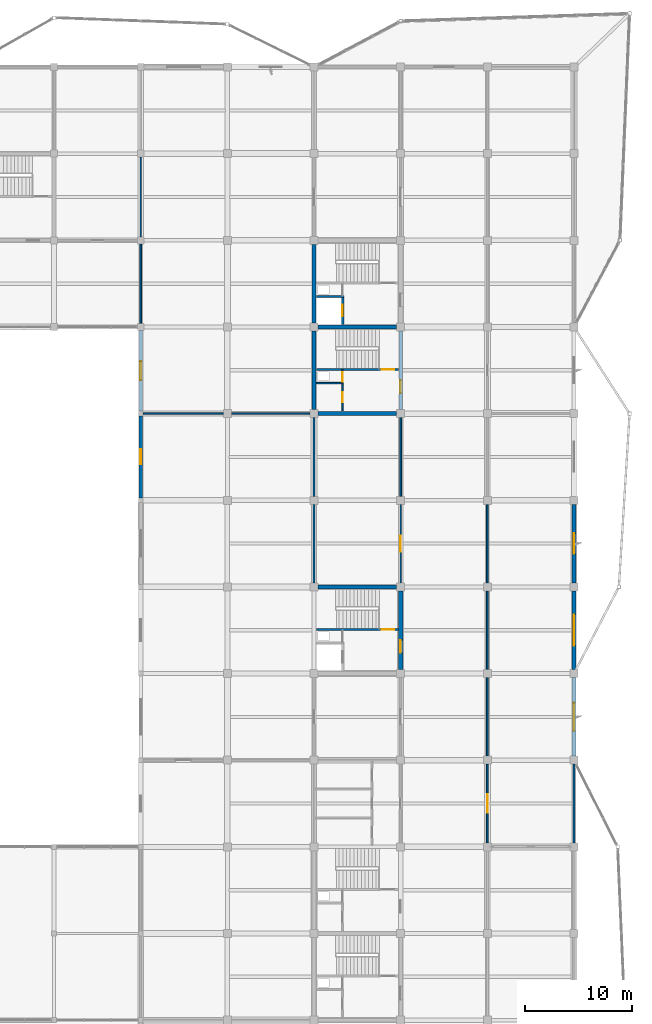
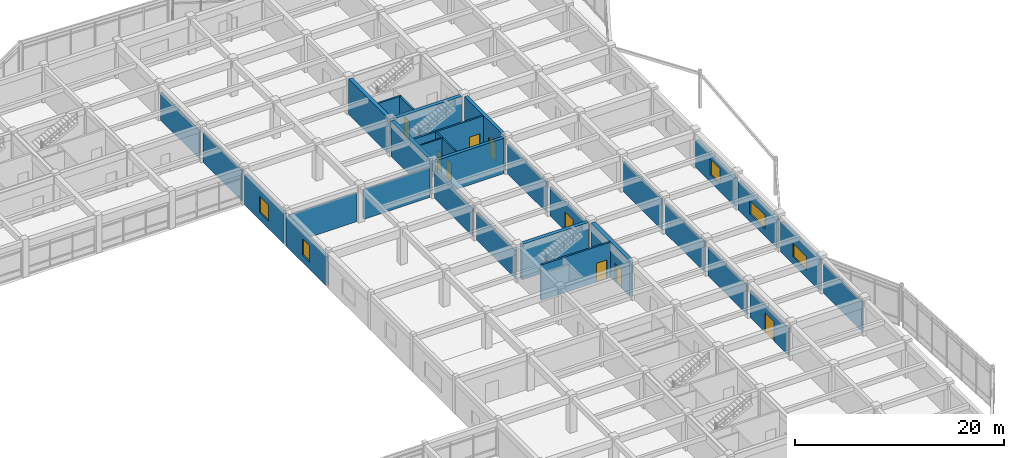
# One storey, part 71 of 89: 32 walls, 9 doors, 5 windows, 14 openings.
"""IFC4 building model written with IfcOpenShell, lengths in metres."""

from ifc_helpers import new_model, si_unit, direction, frame, frame_2d, origin, place, context, subcontext, project, spatial, rectangle, extrude, material, layer, layer_set, type_object, element, fill, save


model = new_model("IFC4")

# Units and contexts
model_context = context("Model", 3, precision=1e-05, world=origin(), true_north=direction((0.0, 1.0)))
body_context = subcontext(model_context, "Body", "Model", "MODEL_VIEW")
ifc_project = project(units=[si_unit("LENGTHUNIT", "METRE"), si_unit("AREAUNIT", "SQUARE_METRE"), si_unit("VOLUMEUNIT", "CUBIC_METRE"), si_unit("PLANEANGLEUNIT", "RADIAN"), si_unit("MASSUNIT", "GRAM", prefix="KILO")], contexts=[model_context])

# Site, building, storey
site_placement = place(None, origin())
site = spatial("IfcSite", under=ifc_project, at=site_placement, CompositionType="ELEMENT")
building_placement = place(site_placement, origin())
building = spatial("IfcBuilding", under=site, at=building_placement, Name="Vaudrelin Polytechnic", CompositionType="ELEMENT")
storey_placement = place(building_placement, frame((0.0, 0.0, 9.68994140625)))
storey = spatial("IfcBuildingStorey", under=building, at=storey_placement, Name="L02", CompositionType="ELEMENT", Elevation=9.68994140625)

# Wall, opening, window
ifc_material_1 = material(Name="Precast concrete 35 MPa with terracotta baguette screen", Category="masonry")
ifc_layer_1 = layer(ifc_material_1, 0.35009765625)
ifc_layer_set_1 = layer_set([ifc_layer_1], Name="Precast concrete 35 MPa with terracotta baguette screen")
wall_type_1 = type_object("IfcWallType", Name="WAL-EW-TERR350", PredefinedType="STANDARD", material=ifc_layer_set_1)
wall_1_placement = place(storey_placement, frame((170.10009765625, 57.072998046875, 0.0), z_axis=(0.0, 0.0, 1.0), x_axis=(0.0, 1.0, 0.0)))
wall_1 = element("IfcWall", 1, at=wall_1_placement, inside=storey, type_object=wall_type_1, Name="Exterior wall L02 E_V4_05", PredefinedType="STANDARD", context=body_context, shape_type="SweptSolid", body=[
    extrude(rectangle(XDim=7.35400390625, YDim=0.35009765625, at=frame_2d((3.677001953125, 0.0))), origin(), (0.0, 0.0, 1.0), 3.491943359375),
])
opening_1_placement = place(wall_1_placement, frame((2.376953125, 0.0, 0.85009765625)))
opening_1 = element("IfcOpeningElement", 2, at=opening_1_placement, cuts=wall_1, Name="Opening W-L02-E-V4-06", PredefinedType="OPENING", context=body_context, shape_type="SweptSolid", body=[
    extrude(rectangle(XDim=2.60009765625, YDim=1.60009765625, at=frame_2d((1.300048828125, 0.800048828125))), frame((0.0, 0.18505859375, 0.0), z_axis=(0.0, -1.0, 0.0), x_axis=(1.0, 0.0, 0.0)), (0.0, 0.0, 1.0), 0.3701171875),
])
ifc_material_2 = material(Name="Thermally broken aluminium frame with triple low-e glazing", Category="aluminium")
window_type_1 = type_object("IfcWindowType", Name="WIN-WN-45", PartitioningType="SINGLE_PANEL", PredefinedType="WINDOW", material=ifc_material_2)
window_1_placement = place(opening_1_placement, origin())
window_1 = element("IfcWindow", 3, at=window_1_placement, inside=storey, type_object=window_type_1, Name="Facade window L02-E_V4_05", OverallHeight=1.60009765625, OverallWidth=2.60009765625, PartitioningType="SINGLE_PANEL", PredefinedType="WINDOW", context=body_context, shape_type="SweptSolid", body=[
    extrude(rectangle(XDim=2.60009765625, YDim=1.60009765625, at=frame_2d((1.300048828125, 0.800048828125))), frame((0.0, 0.030029296875, 0.0), z_axis=(0.0, -1.0, 0.0), x_axis=(1.0, 0.0, 0.0)), (0.0, 0.0, 1.0), 0.06005859375),
])
fill(opening_1, window_1)

wall_2_placement = place(storey_placement, frame((170.10009765625, 65.173095703125, 0.0), z_axis=(0.0, 0.0, 1.0), x_axis=(0.0, 1.0, 0.0)))
wall_2 = element("IfcWall", 4, at=wall_2_placement, inside=storey, type_object=wall_type_1, Name="Exterior wall L02 E_V4_06", PredefinedType="STANDARD", context=body_context, shape_type="SweptSolid", body=[
    extrude(rectangle(XDim=7.35400390625, YDim=0.35009765625, at=frame_2d((3.677001953125, 0.0))), origin(), (0.0, 0.0, 1.0), 3.2919921875),
])
opening_2_placement = place(wall_2_placement, frame((2.22705078125, 0.0, 0.85009765625)))
opening_2 = element("IfcOpeningElement", 5, at=opening_2_placement, cuts=wall_2, Name="Opening W-L02-E-V4-07", PredefinedType="OPENING", context=body_context, shape_type="SweptSolid", body=[
    extrude(rectangle(XDim=2.89990234375, YDim=1.60009765625, at=frame_2d((1.449951171875, 0.800048828125))), frame((0.0, 0.18505859375, 0.0), z_axis=(0.0, -1.0, 0.0), x_axis=(1.0, 0.0, 0.0)), (0.0, 0.0, 1.0), 0.3701171875),
])
window_type_2 = type_object("IfcWindowType", Name="WIN-WN-46", PartitioningType="SINGLE_PANEL", PredefinedType="WINDOW", material=ifc_material_2)
window_2_placement = place(opening_2_placement, origin())
window_2 = element("IfcWindow", 6, at=window_2_placement, inside=storey, type_object=window_type_2, Name="Facade window L02-E_V4_06", OverallHeight=1.60009765625, OverallWidth=2.89990234375, PartitioningType="SINGLE_PANEL", PredefinedType="WINDOW", context=body_context, shape_type="SweptSolid", body=[
    extrude(rectangle(XDim=2.89990234375, YDim=1.60009765625, at=frame_2d((1.449951171875, 0.800048828125))), frame((0.0, 0.030029296875, 0.0), z_axis=(0.0, -1.0, 0.0), x_axis=(1.0, 0.0, 0.0)), (0.0, 0.0, 1.0), 0.06005859375),
])
fill(opening_2, window_2)

wall_3_placement = place(storey_placement, frame((170.10009765625, 73.27294921875, 0.0), z_axis=(0.0, 0.0, 1.0), x_axis=(0.0, 1.0, 0.0)))
wall_3 = element("IfcWall", 7, at=wall_3_placement, inside=storey, type_object=wall_type_1, Name="Exterior wall L02 E_V4_07", PredefinedType="STANDARD", context=body_context, shape_type="SweptSolid", body=[
    extrude(rectangle(XDim=7.35400390625, YDim=0.35009765625, at=frame_2d((3.677001953125, 0.0))), origin(), (0.0, 0.0, 1.0), 3.192138671875),
])
opening_3_placement = place(wall_3_placement, frame((2.72705078125, 0.0, 0.85009765625)))
opening_3 = element("IfcOpeningElement", 8, at=opening_3_placement, cuts=wall_3, Name="Opening W-L02-E-V4-08", PredefinedType="OPENING", context=body_context, shape_type="SweptSolid", body=[
    extrude(rectangle(XDim=1.89990234375, YDim=1.85009765625, at=frame_2d((0.949951171875, 0.925048828125))), frame((0.0, 0.18505859375, 0.0), z_axis=(0.0, -1.0, 0.0), x_axis=(1.0, 0.0, 0.0)), (0.0, 0.0, 1.0), 0.3701171875),
])
window_type_3 = type_object("IfcWindowType", Name="WIN-WN-47", PartitioningType="SINGLE_PANEL", PredefinedType="WINDOW", material=ifc_material_2)
window_3_placement = place(opening_3_placement, origin())
window_3 = element("IfcWindow", 9, at=window_3_placement, inside=storey, type_object=window_type_3, Name="Facade window L02-E_V4_07", OverallHeight=1.85009765625, OverallWidth=1.89990234375, PartitioningType="SINGLE_PANEL", PredefinedType="WINDOW", context=body_context, shape_type="SweptSolid", body=[
    extrude(rectangle(XDim=1.89990234375, YDim=1.85009765625, at=frame_2d((0.949951171875, 0.925048828125))), frame((0.0, 0.030029296875, 0.0), z_axis=(0.0, -1.0, 0.0), x_axis=(1.0, 0.0, 0.0)), (0.0, 0.0, 1.0), 0.06005859375),
])
fill(opening_3, window_3)

wall_4_placement = place(storey_placement, frame((129.60009765625, 81.222900390625, 0.0), z_axis=(0.0, 0.0, 1.0), x_axis=(0.0, 1.0, 0.0)))
wall_4 = element("IfcWall", 10, at=wall_4_placement, inside=storey, type_object=wall_type_1, Name="Exterior wall L02 CT_E_04", PredefinedType="STANDARD", context=body_context, shape_type="SweptSolid", body=[
    extrude(rectangle(XDim=7.654052734375, YDim=0.35009765625, at=frame_2d((3.8271484375, 0.0))), origin(), (0.0, 0.0, 1.0), 3.39208984375),
])
opening_4_placement = place(wall_4_placement, frame((3.126953125, 0.0, 0.85009765625)))
opening_4 = element("IfcOpeningElement", 11, at=opening_4_placement, cuts=wall_4, Name="Opening W-L02-CT-E-05", PredefinedType="OPENING", context=body_context, shape_type="SweptSolid", body=[
    extrude(rectangle(XDim=1.39990234375, YDim=1.89990234375, at=frame_2d((0.699951171875, 0.949951171875))), frame((0.0, 0.18505859375, 0.0), z_axis=(0.0, -1.0, 0.0), x_axis=(1.0, 0.0, 0.0)), (0.0, 0.0, 1.0), 0.3701171875),
])
window_type_4 = type_object("IfcWindowType", Name="WIN-WN-28", PartitioningType="SINGLE_PANEL", PredefinedType="WINDOW", material=ifc_material_2)
window_4_placement = place(opening_4_placement, origin())
window_4 = element("IfcWindow", 12, at=window_4_placement, inside=storey, type_object=window_type_4, Name="Facade window L02-CT_E_04", OverallHeight=1.89990234375, OverallWidth=1.39990234375, PartitioningType="SINGLE_PANEL", PredefinedType="WINDOW", context=body_context, shape_type="SweptSolid", body=[
    extrude(rectangle(XDim=1.39990234375, YDim=1.89990234375, at=frame_2d((0.699951171875, 0.949951171875))), frame((0.0, 0.030029296875, 0.0), z_axis=(0.0, -1.0, 0.0), x_axis=(1.0, 0.0, 0.0)), (0.0, 0.0, 1.0), 0.06005859375),
])
fill(opening_4, window_4)

wall_5_placement = place(storey_placement, frame((129.60009765625, 89.322998046875, 0.0), z_axis=(0.0, 0.0, 1.0), x_axis=(0.0, 1.0, 0.0)))
wall_5 = element("IfcWall", 13, at=wall_5_placement, inside=storey, type_object=wall_type_1, Name="Exterior wall L02 CT_E_05", PredefinedType="STANDARD", context=body_context, shape_type="SweptSolid", body=[
    extrude(rectangle(XDim=7.553955078125, YDim=0.35009765625, at=frame_2d((3.77685546875, 0.0))), origin(), (0.0, 0.0, 1.0), 3.491943359375),
])
opening_5_placement = place(wall_5_placement, frame((2.902099609375, 0.0, 0.85009765625)))
opening_5 = element("IfcOpeningElement", 14, at=opening_5_placement, cuts=wall_5, Name="Opening W-L02-CT-E-06", PredefinedType="OPENING", context=body_context, shape_type="SweptSolid", body=[
    extrude(rectangle(XDim=1.75, YDim=1.89990234375, at=frame_2d((0.875, 0.949951171875))), frame((0.0, 0.18505859375, 0.0), z_axis=(0.0, -1.0, 0.0), x_axis=(1.0, 0.0, 0.0)), (0.0, 0.0, 1.0), 0.3701171875),
])
window_type_5 = type_object("IfcWindowType", Name="WIN-WN-29", PartitioningType="SINGLE_PANEL", PredefinedType="WINDOW", material=ifc_material_2)
window_5_placement = place(opening_5_placement, origin())
window_5 = element("IfcWindow", 15, at=window_5_placement, inside=storey, type_object=window_type_5, Name="Facade window L02-CT_E_05", OverallHeight=1.89990234375, OverallWidth=1.75, PartitioningType="SINGLE_PANEL", PredefinedType="WINDOW", context=body_context, shape_type="SweptSolid", body=[
    extrude(rectangle(XDim=1.75, YDim=1.89990234375, at=frame_2d((0.875, 0.949951171875))), frame((0.0, 0.030029296875, 0.0), z_axis=(0.0, -1.0, 0.0), x_axis=(1.0, 0.0, 0.0)), (0.0, 0.0, 1.0), 0.06005859375),
])
fill(opening_5, window_5)

# Wall, opening, door
ifc_material_3 = material(Name="Fire-rated steel-stud gypsum compartment wall", Category="steel")
ifc_layer_2 = layer(ifc_material_3, 0.14990234375)
ifc_layer_set_2 = layer_set([ifc_layer_2], Name="Fire-rated steel-stud gypsum compartment wall")
wall_type_2 = type_object("IfcWallType", Name="WAL-PW-FIRE60", PredefinedType="PARTITIONING", material=ifc_layer_set_2)
wall_6_placement = place(storey_placement, frame((148.47998046875, 91.949951171875, 0.0), z_axis=(0.0, 0.0, 1.0), x_axis=(0.0, 1.0, 0.0)))
wall_6 = element("IfcWall", 16, at=wall_6_placement, inside=storey, type_object=wall_type_2, Name="Core C13 riser enclosure wall L02", PredefinedType="PARTITIONING", context=body_context, shape_type="SweptSolid", body=[
    extrude(rectangle(XDim=1.260009765625, YDim=0.14990234375, at=frame_2d((0.6298828125, 0.0))), origin(), (0.0, 0.0, 1.0), 4.14208984375),
])
opening_6_placement = place(wall_6_placement, frame((0.139892578125, 0.0, 0.0)))
opening_6 = element("IfcOpeningElement", 17, at=opening_6_placement, cuts=wall_6, Name="Opening D-L02-307", PredefinedType="OPENING", context=body_context, shape_type="SweptSolid", body=[
    extrude(rectangle(XDim=0.89990234375, YDim=2.14990234375, at=frame_2d((0.449951171875, 1.074951171875))), frame((0.0, 0.0849609375, 0.0), z_axis=(0.0, -1.0, 0.0), x_axis=(1.0, 0.0, 0.0)), (0.0, 0.0, 1.0), 0.169921875),
])
ifc_material_4 = material(Name="Pressed galvanised steel acoustic leaf", Category="steel")
door_type_1 = type_object("IfcDoorType", Name="DOR-ID-RSR1", OperationType="NOTDEFINED", PredefinedType="DOOR", material=ifc_material_4)
door_1_placement = place(opening_6_placement, origin())
door_1 = element("IfcDoor", 18, at=door_1_placement, inside=storey, type_object=door_type_1, Name="Core C13 riser access door L02", OperationType="SINGLE_SWING_RIGHT", OverallHeight=2.14990234375, OverallWidth=0.89990234375, PredefinedType="DOOR", context=body_context, shape_type="SweptSolid", body=[
    extrude(rectangle(XDim=0.89990234375, YDim=2.14990234375, at=frame_2d((0.449951171875, 1.074951171875))), frame((0.0, 0.02490234375, 0.0), z_axis=(0.0, -1.0, 0.0), x_axis=(1.0, 0.0, 0.0)), (0.0, 0.0, 1.0), 0.050048828125),
])
fill(opening_6, door_1)

# Wall
wall_7_placement = place(storey_placement, frame((146.02001953125, 91.949951171875, 0.0), z_axis=(0.0, 0.0, 1.0), x_axis=(1.0, 0.0, 0.0)))
element("IfcWall", 19, at=wall_7_placement, inside=storey, type_object=wall_type_2, Name="Core C13 riser south fire wall L02", PredefinedType="PARTITIONING", context=body_context, shape_type="SweptSolid", body=[
    extrude(rectangle(XDim=2.530029296875, YDim=0.14990234375, at=frame_2d((1.26513671875, 0.0))), origin(), (0.0, 0.0, 1.0), 4.14208984375),
])

# Wall, opening, door
wall_8_placement = place(storey_placement, frame((148.47998046875, 89.35009765625, 0.0), z_axis=(0.0, 0.0, 1.0), x_axis=(0.0, 1.0, 0.0)))
wall_8 = element("IfcWall", 20, at=wall_8_placement, inside=storey, type_object=wall_type_2, Name="Core C13 custodial enclosure wall L02", PredefinedType="PARTITIONING", context=body_context, shape_type="SweptSolid", body=[
    extrude(rectangle(XDim=2.599853515625, YDim=0.14990234375, at=frame_2d((1.2998046875, 0.0))), origin(), (0.0, 0.0, 1.0), 4.14208984375),
])
opening_7_placement = place(wall_8_placement, frame((0.800048828125, 0.0, 0.0)))
opening_7 = element("IfcOpeningElement", 21, at=opening_7_placement, cuts=wall_8, Name="Opening D-L02-308", PredefinedType="OPENING", context=body_context, shape_type="SweptSolid", body=[
    extrude(rectangle(XDim=0.949951171875, YDim=2.14990234375, at=frame_2d((0.47509765625, 1.074951171875))), frame((0.0, 0.0849609375, 0.0), z_axis=(0.0, -1.0, 0.0), x_axis=(1.0, 0.0, 0.0)), (0.0, 0.0, 1.0), 0.169921875),
])
door_type_2 = type_object("IfcDoorType", Name="DOR-ID-STR1", OperationType="NOTDEFINED", PredefinedType="DOOR", material=ifc_material_4)
door_2_placement = place(opening_7_placement, origin())
door_2 = element("IfcDoor", 22, at=door_2_placement, inside=storey, type_object=door_type_2, Name="Core C13 custodial door L02", OperationType="SINGLE_SWING_RIGHT", OverallHeight=2.14990234375, OverallWidth=0.949951171875, PredefinedType="DOOR", context=body_context, shape_type="SweptSolid", body=[
    extrude(rectangle(XDim=0.949951171875, YDim=2.14990234375, at=frame_2d((0.47509765625, 1.074951171875))), frame((0.0, 0.02490234375, 0.0), z_axis=(0.0, -1.0, 0.0), x_axis=(1.0, 0.0, 0.0)), (0.0, 0.0, 1.0), 0.050048828125),
])
fill(opening_7, door_2)

# Walls
ifc_material_5 = material(Name="Moisture- and chemical-resistant laboratory partition", Category="gypsum")
ifc_layer_3 = layer(ifc_material_5, 0.159912109375)
ifc_layer_set_3 = layer_set([ifc_layer_3], Name="Moisture- and chemical-resistant laboratory partition")
wall_type_3 = type_object("IfcWallType", Name="WAL-PW-LAB160", PredefinedType="PARTITIONING", material=ifc_layer_set_3)
wall_9_placement = place(storey_placement, frame((145.800048828125, 73.27294921875, 0.0), z_axis=(0.0, 0.0, 1.0), x_axis=(0.0, 1.0, 0.0)))
element("IfcWall", 23, at=wall_9_placement, inside=storey, type_object=wall_type_3, Name="Partition L02-016 E", PredefinedType="PARTITIONING", context=body_context, shape_type="SweptSolid", body=[
    extrude(rectangle(XDim=7.35400390625, YDim=0.159912109375, at=frame_2d((3.677001953125, 0.0))), origin(), (0.0, 0.0, 1.0), 3.2919921875),
])
wall_10_placement = place(storey_placement, frame((145.800048828125, 81.373046875, 0.0), z_axis=(0.0, 0.0, 1.0), x_axis=(0.0, 1.0, 0.0)))
element("IfcWall", 24, at=wall_10_placement, inside=storey, type_object=wall_type_3, Name="Partition L02-016 E", PredefinedType="PARTITIONING", context=body_context, shape_type="SweptSolid", body=[
    extrude(rectangle(XDim=7.35400390625, YDim=0.159912109375, at=frame_2d((3.677001953125, 0.0))), origin(), (0.0, 0.0, 1.0), 3.192138671875),
])
wall_11_placement = place(storey_placement, frame((129.822998046875, 89.10009765625, 0.0), z_axis=(0.0, 0.0, 1.0), x_axis=(1.0, 0.0, 0.0)))
element("IfcWall", 25, at=wall_11_placement, inside=storey, type_object=wall_type_3, Name="Partition L02-016 N", PredefinedType="PARTITIONING", context=body_context, shape_type="SweptSolid", body=[
    extrude(rectangle(XDim=7.50390625, YDim=0.159912109375, at=frame_2d((3.751953125, 0.0))), origin(), (0.0, 0.0, 1.0), 3.39208984375),
])
wall_12_placement = place(storey_placement, frame((138.072998046875, 89.10009765625, 0.0), z_axis=(0.0, 0.0, 1.0), x_axis=(1.0, 0.0, 0.0)))
element("IfcWall", 26, at=wall_12_placement, inside=storey, type_object=wall_type_3, Name="Partition L02-016 N", PredefinedType="PARTITIONING", context=body_context, shape_type="SweptSolid", body=[
    extrude(rectangle(XDim=7.35400390625, YDim=0.159912109375, at=frame_2d((3.677001953125, 0.0))), origin(), (0.0, 0.0, 1.0), 3.491943359375),
])

# Wall, opening, door
wall_13_placement = place(storey_placement, frame((153.89990234375, 73.27294921875, 0.0), z_axis=(0.0, 0.0, 1.0), x_axis=(0.0, 1.0, 0.0)))
wall_13 = element("IfcWall", 27, at=wall_13_placement, inside=storey, type_object=wall_type_3, Name="Partition L02-017 E", PredefinedType="PARTITIONING", context=body_context, shape_type="SweptSolid", body=[
    extrude(rectangle(XDim=7.35400390625, YDim=0.159912109375, at=frame_2d((3.677001953125, 0.0))), origin(), (0.0, 0.0, 1.0), 3.39208984375),
])
opening_8_placement = place(wall_13_placement, frame((2.927001953125, 0.0, 0.0)))
opening_8 = element("IfcOpeningElement", 28, at=opening_8_placement, cuts=wall_13, Name="Opening D-L02-483", PredefinedType="OPENING", context=body_context, shape_type="SweptSolid", body=[
    extrude(rectangle(XDim=1.5, YDim=2.199951171875, at=frame_2d((0.75, 1.10009765625))), frame((0.0, 0.08984375, 0.0), z_axis=(0.0, -1.0, 0.0), x_axis=(1.0, 0.0, 0.0)), (0.0, 0.0, 1.0), 0.179931640625),
])
door_type_3 = type_object("IfcDoorType", Name="DOR-ID-LAB1", OperationType="NOTDEFINED", PredefinedType="DOOR", material=ifc_material_4)
door_3_placement = place(opening_8_placement, origin())
door_3 = element("IfcDoor", 29, at=door_3_placement, inside=storey, type_object=door_type_3, Name="Catalysis Balance Laboratory door L02-017", OperationType="DOUBLE_SWING_LEFT", OverallHeight=2.199951171875, OverallWidth=1.5, PredefinedType="DOOR", context=body_context, shape_type="SweptSolid", body=[
    extrude(rectangle(XDim=1.5, YDim=2.199951171875, at=frame_2d((0.75, 1.10009765625))), frame((0.0, 0.02490234375, 0.0), z_axis=(0.0, -1.0, 0.0), x_axis=(1.0, 0.0, 0.0)), (0.0, 0.0, 1.0), 0.050048828125),
])
fill(opening_8, door_3)

# Walls
wall_14_placement = place(storey_placement, frame((153.89990234375, 81.373046875, 0.0), z_axis=(0.0, 0.0, 1.0), x_axis=(0.0, 1.0, 0.0)))
element("IfcWall", 30, at=wall_14_placement, inside=storey, type_object=wall_type_3, Name="Partition L02-017 E", PredefinedType="PARTITIONING", context=body_context, shape_type="SweptSolid", body=[
    extrude(rectangle(XDim=7.35400390625, YDim=0.159912109375, at=frame_2d((3.677001953125, 0.0))), origin(), (0.0, 0.0, 1.0), 3.491943359375),
])
wall_15_placement = place(storey_placement, frame((129.60009765625, 97.52294921875, 0.0), z_axis=(0.0, 0.0, 1.0), x_axis=(0.0, 1.0, 0.0)))
element("IfcWall", 31, at=wall_15_placement, inside=storey, type_object=wall_type_3, Name="Partition L02-018 W", PredefinedType="PARTITIONING", context=body_context, shape_type="SweptSolid", body=[
    extrude(rectangle(XDim=7.4541015625, YDim=0.159912109375, at=frame_2d((3.72705078125, 0.0))), origin(), (0.0, 0.0, 1.0), 3.5419921875),
])

# Wall, opening, door
wall_16_placement = place(storey_placement, frame((162.0, 48.972900390625, 0.0), z_axis=(0.0, 0.0, 1.0), x_axis=(0.0, 1.0, 0.0)))
wall_16 = element("IfcWall", 32, at=wall_16_placement, inside=storey, type_object=wall_type_3, Name="Partition L02-022 W", PredefinedType="PARTITIONING", context=body_context, shape_type="SweptSolid", body=[
    extrude(rectangle(XDim=7.35400390625, YDim=0.159912109375, at=frame_2d((3.677001953125, 0.0))), origin(), (0.0, 0.0, 1.0), 3.192138671875),
])
opening_9_placement = place(wall_16_placement, frame((2.81689453125, 0.0, 0.0)))
opening_9 = element("IfcOpeningElement", 33, at=opening_9_placement, cuts=wall_16, Name="Opening D-L02-487", PredefinedType="OPENING", context=body_context, shape_type="SweptSolid", body=[
    extrude(rectangle(XDim=1.719970703125, YDim=2.300048828125, at=frame_2d((0.85986328125, 1.14990234375))), frame((0.0, 0.08984375, 0.0), z_axis=(0.0, -1.0, 0.0), x_axis=(1.0, 0.0, 0.0)), (0.0, 0.0, 1.0), 0.179931640625),
])
door_type_4 = type_object("IfcDoorType", Name="DOR-ID-LAB5", OperationType="NOTDEFINED", PredefinedType="DOOR", material=ifc_material_4)
door_4_placement = place(opening_9_placement, origin())
door_4 = element("IfcDoor", 34, at=door_4_placement, inside=storey, type_object=door_type_4, Name="Polymer Analytical Support Laboratory door L02-022", OperationType="DOUBLE_SWING_LEFT", OverallHeight=2.300048828125, OverallWidth=1.719970703125, PredefinedType="DOOR", context=body_context, shape_type="SweptSolid", body=[
    extrude(rectangle(XDim=1.719970703125, YDim=2.300048828125, at=frame_2d((0.85986328125, 1.14990234375))), frame((0.0, 0.02490234375, 0.0), z_axis=(0.0, -1.0, 0.0), x_axis=(1.0, 0.0, 0.0)), (0.0, 0.0, 1.0), 0.050048828125),
])
fill(opening_9, door_4)

# Walls
wall_17_placement = place(storey_placement, frame((162.0, 57.072998046875, 0.0), z_axis=(0.0, 0.0, 1.0), x_axis=(0.0, 1.0, 0.0)))
element("IfcWall", 35, at=wall_17_placement, inside=storey, type_object=wall_type_3, Name="Partition L02-022 W", PredefinedType="PARTITIONING", context=body_context, shape_type="SweptSolid", body=[
    extrude(rectangle(XDim=7.35400390625, YDim=0.159912109375, at=frame_2d((3.677001953125, 0.0))), origin(), (0.0, 0.0, 1.0), 3.39208984375),
])
wall_18_placement = place(storey_placement, frame((162.0, 65.173095703125, 0.0), z_axis=(0.0, 0.0, 1.0), x_axis=(0.0, 1.0, 0.0)))
element("IfcWall", 36, at=wall_18_placement, inside=storey, type_object=wall_type_3, Name="Partition L02-022 W", PredefinedType="PARTITIONING", context=body_context, shape_type="SweptSolid", body=[
    extrude(rectangle(XDim=7.35400390625, YDim=0.159912109375, at=frame_2d((3.677001953125, 0.0))), origin(), (0.0, 0.0, 1.0), 3.491943359375),
])
wall_19_placement = place(storey_placement, frame((162.0, 73.27294921875, 0.0), z_axis=(0.0, 0.0, 1.0), x_axis=(0.0, 1.0, 0.0)))
element("IfcWall", 37, at=wall_19_placement, inside=storey, type_object=wall_type_3, Name="Partition L02-022 W", PredefinedType="PARTITIONING", context=body_context, shape_type="SweptSolid", body=[
    extrude(rectangle(XDim=7.35400390625, YDim=0.159912109375, at=frame_2d((3.677001953125, 0.0))), origin(), (0.0, 0.0, 1.0), 3.5419921875),
])
wall_20_placement = place(storey_placement, frame((170.10009765625, 48.972900390625, 0.0), z_axis=(0.0, 0.0, 1.0), x_axis=(0.0, 1.0, 0.0)))
element("IfcWall", 38, at=wall_20_placement, inside=storey, type_object=wall_type_3, Name="Partition L02-022 E", PredefinedType="PARTITIONING", context=body_context, shape_type="SweptSolid", body=[
    extrude(rectangle(XDim=7.35400390625, YDim=0.159912109375, at=frame_2d((3.677001953125, 0.0))), origin(), (0.0, 0.0, 1.0), 3.491943359375),
])
ifc_material_6 = material(Name="Acoustic steel-stud office & study room partition", Category="steel")
ifc_layer_4 = layer(ifc_material_6, 0.135009765625)
ifc_layer_set_4 = layer_set([ifc_layer_4], Name="Acoustic steel-stud office & study room partition")
wall_type_4 = type_object("IfcWallType", Name="WAL-PW-OFF135", PredefinedType="PARTITIONING", material=ifc_layer_set_4)
wall_21_placement = place(storey_placement, frame((129.60009765625, 105.623046875, 0.0), z_axis=(0.0, 0.0, 1.0), x_axis=(0.0, 1.0, 0.0)))
element("IfcWall", 39, at=wall_21_placement, inside=storey, type_object=wall_type_4, Name="Partition L02-012 E", PredefinedType="PARTITIONING", context=body_context, shape_type="SweptSolid", body=[
    extrude(rectangle(XDim=7.453857421875, YDim=0.135009765625, at=frame_2d((3.72705078125, 0.0))), origin(), (0.0, 0.0, 1.0), 3.2919921875),
])

# Wall, opening, door
ifc_material_7 = material(Name="Concrete 40 MPa", Category="concrete")
ifc_layer_5 = layer(ifc_material_7, 0.199951171875)
ifc_layer_set_5 = layer_set([ifc_layer_5], Name="Concrete 40 MPa")
wall_type_5 = type_object("IfcWallType", Name="WAL-SW-CORE200", PredefinedType="SHEAR", material=ifc_layer_set_5)
wall_22_placement = place(storey_placement, frame((148.47998046875, 97.449951171875, 0.0), z_axis=(0.0, 0.0, 1.0), x_axis=(0.0, 1.0, 0.0)))
wall_22 = element("IfcWall", 40, at=wall_22_placement, inside=storey, type_object=wall_type_5, Name="Lift LF-06 shaft front wall L02", PredefinedType="SHEAR", context=body_context, shape_type="SweptSolid", body=[
    extrude(rectangle(XDim=2.60009765625, YDim=0.199951171875, at=frame_2d((1.300048828125, 0.0))), origin(), (0.0, 0.0, 1.0), 4.14208984375),
])
opening_10_placement = place(wall_22_placement, frame((0.75, 0.0, 0.0)))
opening_10 = element("IfcOpeningElement", 41, at=opening_10_placement, cuts=wall_22, Name="Opening LD-LF-06-L02", PredefinedType="OPENING", context=body_context, shape_type="SweptSolid", body=[
    extrude(rectangle(XDim=1.10009765625, YDim=2.199951171875, at=frame_2d((0.550048828125, 1.10009765625))), frame((0.0, 0.10986328125, 0.0), z_axis=(0.0, -1.0, 0.0), x_axis=(1.0, 0.0, 0.0)), (0.0, 0.0, 1.0), 0.219970703125),
])
ifc_material_8 = material(Name="Brushed stainless steel AISI 304", Category="steel")
door_type_5 = type_object("IfcDoorType", Name="DOR-LD-PAX", OperationType="SLIDING_TO_LEFT", PredefinedType="DOOR", material=ifc_material_8)
door_5_placement = place(opening_10_placement, origin())
door_5 = element("IfcDoor", 42, at=door_5_placement, inside=storey, type_object=door_type_5, Name="Lift LF-06 landing door L02", OperationType="SLIDING_TO_LEFT", OverallHeight=2.199951171875, OverallWidth=1.10009765625, PredefinedType="DOOR", context=body_context, shape_type="SweptSolid", body=[
    extrude(rectangle(XDim=1.10009765625, YDim=2.199951171875, at=frame_2d((0.550048828125, 1.10009765625))), frame((0.0, 0.02490234375, 0.0), z_axis=(0.0, -1.0, 0.0), x_axis=(1.0, 0.0, 0.0)), (0.0, 0.0, 1.0), 0.050048828125),
])
fill(opening_10, door_5)

# Wall
wall_23_placement = place(storey_placement, frame((146.02001953125, 100.050048828125, 0.0), z_axis=(0.0, 0.0, 1.0), x_axis=(1.0, 0.0, 0.0)))
element("IfcWall", 43, at=wall_23_placement, inside=storey, type_object=wall_type_5, Name="Lift LF-06 shaft north wall L02", PredefinedType="SHEAR", context=body_context, shape_type="SweptSolid", body=[
    extrude(rectangle(XDim=2.56005859375, YDim=0.199951171875, at=frame_2d((1.280029296875, 0.0))), origin(), (0.0, 0.0, 1.0), 4.14208984375),
])

# Wall, opening, door
wall_24_placement = place(storey_placement, frame((146.02001953125, 68.909912109375, 0.0), z_axis=(0.0, 0.0, 1.0), x_axis=(1.0, 0.0, 0.0)))
wall_24 = element("IfcWall", 44, at=wall_24_placement, inside=storey, type_object=wall_type_5, Name="Core C7 stair enclosure wall L02", PredefinedType="SHEAR", context=body_context, shape_type="SweptSolid", body=[
    extrude(rectangle(XDim=7.659912109375, YDim=0.199951171875, at=frame_2d((3.830078125, 0.0))), origin(), (0.0, 0.0, 1.0), 4.14208984375),
])
opening_11_placement = place(wall_24_placement, frame((6.110107421875, 0.0, 0.0)))
opening_11 = element("IfcOpeningElement", 45, at=opening_11_placement, cuts=wall_24, Name="Opening D-L02-121", PredefinedType="OPENING", context=body_context, shape_type="SweptSolid", body=[
    extrude(rectangle(XDim=1.14990234375, YDim=2.199951171875, at=frame_2d((0.574951171875, 1.10009765625))), frame((0.0, 0.10986328125, 0.0), z_axis=(0.0, -1.0, 0.0), x_axis=(1.0, 0.0, 0.0)), (0.0, 0.0, 1.0), 0.219970703125),
])
door_type_6 = type_object("IfcDoorType", Name="DOR-ID-ST1", OperationType="NOTDEFINED", PredefinedType="DOOR", material=ifc_material_4)
door_6_placement = place(opening_11_placement, origin())
door_6 = element("IfcDoor", 46, at=door_6_placement, inside=storey, type_object=door_type_6, Name="Core C7 exit stair door L02", OperationType="SINGLE_SWING_LEFT", OverallHeight=2.199951171875, OverallWidth=1.14990234375, PredefinedType="DOOR", context=body_context, shape_type="SweptSolid", body=[
    extrude(rectangle(XDim=1.14990234375, YDim=2.199951171875, at=frame_2d((0.574951171875, 1.10009765625))), frame((0.0, 0.02490234375, 0.0), z_axis=(0.0, -1.0, 0.0), x_axis=(1.0, 0.0, 0.0)), (0.0, 0.0, 1.0), 0.050048828125),
])
fill(opening_11, door_6)

wall_25_placement = place(storey_placement, frame((146.02001953125, 93.2099609375, 0.0), z_axis=(0.0, 0.0, 1.0), x_axis=(1.0, 0.0, 0.0)))
wall_25 = element("IfcWall", 47, at=wall_25_placement, inside=storey, type_object=wall_type_5, Name="Core C13 stair enclosure wall L02", PredefinedType="SHEAR", context=body_context, shape_type="SweptSolid", body=[
    extrude(rectangle(XDim=7.659912109375, YDim=0.199951171875, at=frame_2d((3.830078125, 0.0))), origin(), (0.0, 0.0, 1.0), 4.14208984375),
])
opening_12_placement = place(wall_25_placement, frame((6.110107421875, 0.0, 0.0)))
opening_12 = element("IfcOpeningElement", 48, at=opening_12_placement, cuts=wall_25, Name="Opening D-L02-306", PredefinedType="OPENING", context=body_context, shape_type="SweptSolid", body=[
    extrude(rectangle(XDim=1.14990234375, YDim=2.199951171875, at=frame_2d((0.574951171875, 1.10009765625))), frame((0.0, 0.10986328125, 0.0), z_axis=(0.0, -1.0, 0.0), x_axis=(1.0, 0.0, 0.0)), (0.0, 0.0, 1.0), 0.219970703125),
])
door_7_placement = place(opening_12_placement, origin())
door_7 = element("IfcDoor", 49, at=door_7_placement, inside=storey, type_object=door_type_6, Name="Core C13 exit stair door L02", OperationType="SINGLE_SWING_LEFT", OverallHeight=2.199951171875, OverallWidth=1.14990234375, PredefinedType="DOOR", context=body_context, shape_type="SweptSolid", body=[
    extrude(rectangle(XDim=1.14990234375, YDim=2.199951171875, at=frame_2d((0.574951171875, 1.10009765625))), frame((0.0, 0.02490234375, 0.0), z_axis=(0.0, -1.0, 0.0), x_axis=(1.0, 0.0, 0.0)), (0.0, 0.0, 1.0), 0.050048828125),
])
fill(opening_12, door_7)

# Wall
ifc_material_9 = material(Name="Concrete 50 MPa", Category="concrete")
ifc_layer_6 = layer(ifc_material_9, 0.35009765625)
ifc_layer_set_6 = layer_set([ifc_layer_6], Name="Concrete 50 MPa")
wall_type_6 = type_object("IfcWallType", Name="WAL-SW-CORE350", PredefinedType="SHEAR", material=ifc_layer_set_6)
wall_26_placement = place(storey_placement, frame((145.800048828125, 89.472900390625, 0.0), z_axis=(0.0, 0.0, 1.0), x_axis=(0.0, 1.0, 0.0)))
element("IfcWall", 50, at=wall_26_placement, inside=storey, type_object=wall_type_6, Name="Core C13 W shear wall L02", PredefinedType="SHEAR", context=body_context, shape_type="SweptSolid", body=[
    extrude(rectangle(XDim=7.35400390625, YDim=0.35009765625, at=frame_2d((3.677001953125, 0.0))), origin(), (0.0, 0.0, 1.0), 4.14208984375),
])

# Wall, opening, door
wall_27_placement = place(storey_placement, frame((153.89990234375, 89.472900390625, 0.0), z_axis=(0.0, 0.0, 1.0), x_axis=(0.0, 1.0, 0.0)))
wall_27 = element("IfcWall", 51, at=wall_27_placement, inside=storey, type_object=wall_type_6, Name="Core C13 E shear wall L02", PredefinedType="SHEAR", context=body_context, shape_type="SweptSolid", body=[
    extrude(rectangle(XDim=7.35400390625, YDim=0.35009765625, at=frame_2d((3.677001953125, 0.0))), origin(), (0.0, 0.0, 1.0), 4.14208984375),
])
opening_13_placement = place(wall_27_placement, frame((1.550048828125, 0.0, 0.0)))
opening_13 = element("IfcOpeningElement", 52, at=opening_13_placement, cuts=wall_27, Name="Opening D-L02-305", PredefinedType="OPENING", context=body_context, shape_type="SweptSolid", body=[
    extrude(rectangle(XDim=1.199951171875, YDim=2.199951171875, at=frame_2d((0.60009765625, 1.10009765625))), frame((0.0, 0.18505859375, 0.0), z_axis=(0.0, -1.0, 0.0), x_axis=(1.0, 0.0, 0.0)), (0.0, 0.0, 1.0), 0.3701171875),
])
door_type_7 = type_object("IfcDoorType", Name="DOR-ID-LB1", OperationType="NOTDEFINED", PredefinedType="DOOR", material=ifc_material_4)
door_8_placement = place(opening_13_placement, origin())
door_8 = element("IfcDoor", 53, at=door_8_placement, inside=storey, type_object=door_type_7, Name="Core C13 lobby fire door L02", OperationType="SINGLE_SWING_LEFT", OverallHeight=2.199951171875, OverallWidth=1.199951171875, PredefinedType="DOOR", context=body_context, shape_type="SweptSolid", body=[
    extrude(rectangle(XDim=1.199951171875, YDim=2.199951171875, at=frame_2d((0.60009765625, 1.10009765625))), frame((0.0, 0.02490234375, 0.0), z_axis=(0.0, -1.0, 0.0), x_axis=(1.0, 0.0, 0.0)), (0.0, 0.0, 1.0), 0.050048828125),
])
fill(opening_13, door_8)

# Walls
wall_28_placement = place(storey_placement, frame((146.173095703125, 89.10009765625, 0.0), z_axis=(0.0, 0.0, 1.0), x_axis=(1.0, 0.0, 0.0)))
element("IfcWall", 54, at=wall_28_placement, inside=storey, type_object=wall_type_6, Name="Core C13 S shear wall L02", PredefinedType="SHEAR", context=body_context, shape_type="SweptSolid", body=[
    extrude(rectangle(XDim=7.35400390625, YDim=0.35009765625, at=frame_2d((3.677001953125, 0.0))), origin(), (0.0, 0.0, 1.0), 4.14208984375),
])
ifc_layer_7 = layer(ifc_material_9, 0.39990234375)
ifc_layer_set_7 = layer_set([ifc_layer_7], Name="Concrete 50 MPa")
wall_type_7 = type_object("IfcWallType", Name="WAL-SW-CORE400", PredefinedType="SHEAR", material=ifc_layer_set_7)
for number, where, z_axis, x_axis, name in (
    (55, (145.800048828125, 97.572998046875, 0.0), (0.0, 0.0, 1.0), (0.0, 1.0, 0.0), "Core C6 W shear wall L02"),
    (56, (146.173095703125, 97.199951171875, 0.0), (0.0, 0.0, 1.0), (1.0, 0.0, 0.0), "Core C6 S shear wall L02"),
    (57, (146.173095703125, 72.89990234375, 0.0), (0.0, 0.0, 1.0), (1.0, 0.0, 0.0), "Core C7 N shear wall L02"),
):
    element("IfcWall", number, at=place(storey_placement, frame(where, z_axis=z_axis, x_axis=x_axis)), inside=storey, type_object=wall_type_7, Name=name, PredefinedType="SHEAR", context=body_context, shape_type="SweptSolid", body=[
        extrude(rectangle(XDim=7.35400390625, YDim=0.39990234375, at=frame_2d((3.677001953125, 0.0))), origin(), (0.0, 0.0, 1.0), 4.14208984375),
    ])

# Wall, opening, door
wall_29_placement = place(storey_placement, frame((153.89990234375, 65.173095703125, 0.0), z_axis=(0.0, 0.0, 1.0), x_axis=(0.0, 1.0, 0.0)))
wall_29 = element("IfcWall", 58, at=wall_29_placement, inside=storey, type_object=wall_type_7, Name="Core C7 E shear wall L02", PredefinedType="SHEAR", context=body_context, shape_type="SweptSolid", body=[
    extrude(rectangle(XDim=7.35400390625, YDim=0.39990234375, at=frame_2d((3.677001953125, 0.0))), origin(), (0.0, 0.0, 1.0), 4.14208984375),
])
opening_14_placement = place(wall_29_placement, frame((1.550048828125, 0.0, 0.0)))
opening_14 = element("IfcOpeningElement", 59, at=opening_14_placement, cuts=wall_29, Name="Opening D-L02-120", PredefinedType="OPENING", context=body_context, shape_type="SweptSolid", body=[
    extrude(rectangle(XDim=1.199951171875, YDim=2.199951171875, at=frame_2d((0.60009765625, 1.10009765625))), frame((0.0, 0.2099609375, 0.0), z_axis=(0.0, -1.0, 0.0), x_axis=(1.0, 0.0, 0.0)), (0.0, 0.0, 1.0), 0.419921875),
])
door_9_placement = place(opening_14_placement, origin())
door_9 = element("IfcDoor", 60, at=door_9_placement, inside=storey, type_object=door_type_7, Name="Core C7 lobby fire door L02", OperationType="SINGLE_SWING_RIGHT", OverallHeight=2.199951171875, OverallWidth=1.199951171875, PredefinedType="DOOR", context=body_context, shape_type="SweptSolid", body=[
    extrude(rectangle(XDim=1.199951171875, YDim=2.199951171875, at=frame_2d((0.60009765625, 1.10009765625))), frame((0.0, 0.02490234375, 0.0), z_axis=(0.0, -1.0, 0.0), x_axis=(1.0, 0.0, 0.0)), (0.0, 0.0, 1.0), 0.050048828125),
])
fill(opening_14, door_9)

save(model, "model.ifc")
